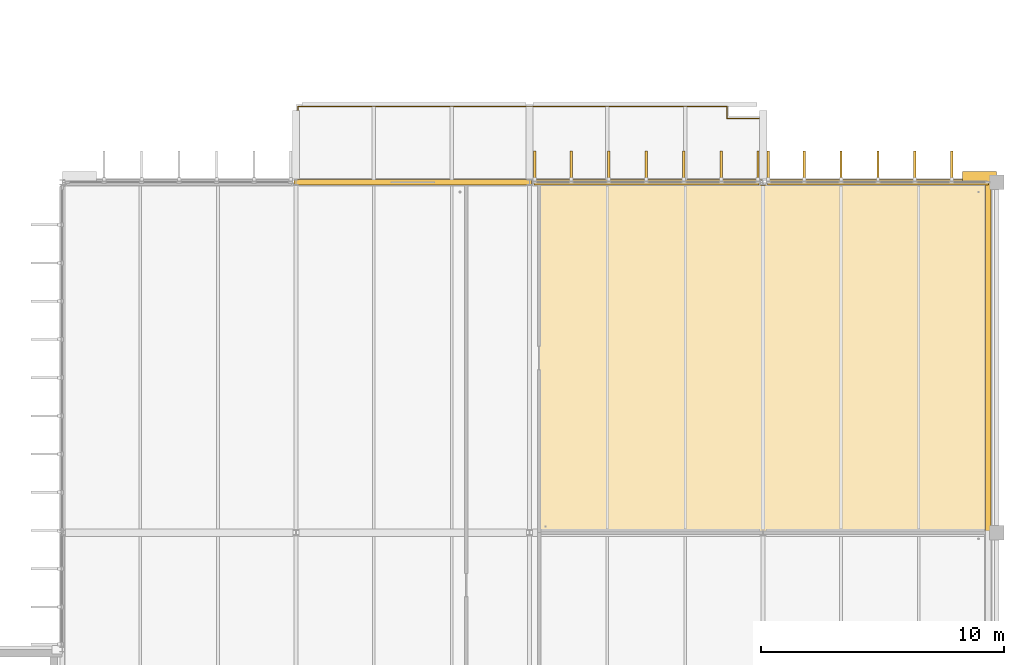
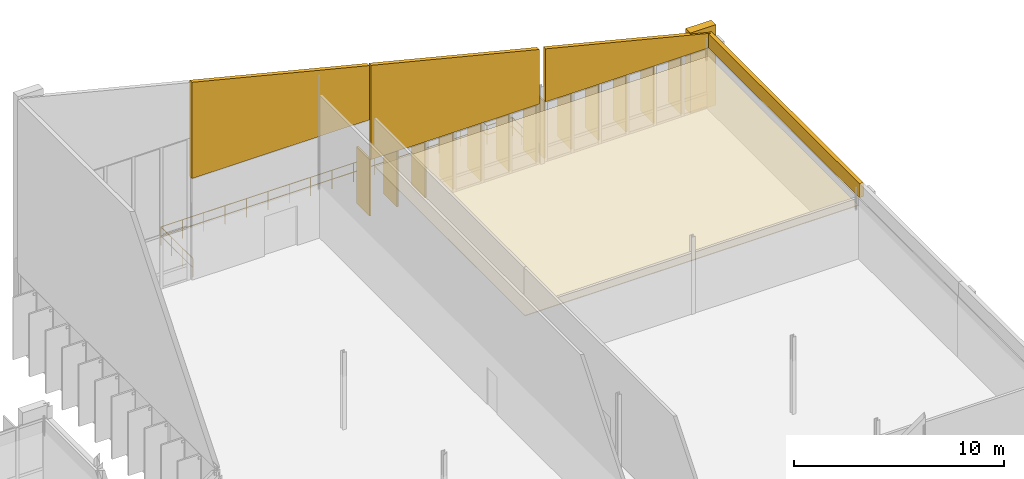
# One storey, part 110 of 110: 19 coverings, 1 railing.
"""IFC4 building model written with IfcOpenShell, lengths in metres."""

from ifc_helpers import new_model, si_unit, direction, frame, origin, origin_2d, place, context, subcontext, project, spatial, polyline, rectangle, circle, outline, extrude, material, layer, layer_set, type_object, element, save


model = new_model("IFC4")

# Units and contexts
model_context = context("Model", 3, precision=1e-05, world=origin(), true_north=direction((0.0, 1.0)))
body_context = subcontext(model_context, "Body", "Model", "MODEL_VIEW")
ifc_project = project(units=[si_unit("LENGTHUNIT", "METRE"), si_unit("AREAUNIT", "SQUARE_METRE"), si_unit("VOLUMEUNIT", "CUBIC_METRE"), si_unit("PLANEANGLEUNIT", "RADIAN"), si_unit("MASSUNIT", "GRAM", prefix="KILO")], contexts=[model_context])

# Site, building, storey
site_placement = place(None, origin())
site = spatial("IfcSite", under=ifc_project, at=site_placement, CompositionType="ELEMENT")
building_placement = place(site_placement, origin())
building = spatial("IfcBuilding", under=site, at=building_placement, Name="Dunescarp Central Library", CompositionType="ELEMENT")
storey_placement = place(building_placement, frame((0.0, 0.0, 9.60009765625)))
storey = spatial("IfcBuildingStorey", under=building, at=storey_placement, Name="L02", CompositionType="ELEMENT", Elevation=9.60009765625)

# Coverings
ifc_material_1 = material(Name="Mineral-fibre acoustic ceiling tile")
ifc_layer_1 = layer(ifc_material_1, 0.0400390625)
ifc_layer_set_1 = layer_set([ifc_layer_1], Name="Mineral-fibre acoustic ceiling tile")
covering_type_1 = type_object("IfcCoveringType", Name="ARC-COV-CEIL40", PredefinedType="CEILING", material=ifc_layer_set_1)
covering_1_placement = place(storey_placement, frame((0.0, 0.0, 3.0498046875)))
element("IfcCovering", 1, at=covering_1_placement, inside=storey, type_object=covering_type_1, Name="L02 ceiling Coastal Ecology Map Collection", PredefinedType="CEILING", context=body_context, shape_type="SweptSolid", body=[
    extrude(outline(polyline([(149.179931640625, 30.3798828125), (167.530029296875, 30.3798828125), (167.530029296875, 44.679931640625), (149.179931640625, 44.679931640625), (149.179931640625, 30.3798828125)])), origin(), (0.0, 0.0, 1.0), 0.0400390625),
])
ifc_material_2 = material(Name="Glass-fibre reinforced concrete GRC", Category="concrete")
ifc_layer_2 = layer(ifc_material_2, 0.219970703125)
ifc_layer_set_2 = layer_set([ifc_layer_2], Name="Glass-fibre reinforced concrete GRC")
covering_type_2 = type_object("IfcCoveringType", Name="ARC-COV-CLER", PredefinedType="CLADDING", material=ifc_layer_set_2)
covering_2_placement = place(storey_placement, frame((139.114990234375, 44.800048828125, 5.89697265625), z_axis=(0.0, 0.0, 1.0), x_axis=(1.0, 0.0, 0.0)))
element("IfcCovering", 2, at=covering_2_placement, inside=storey, type_object=covering_type_2, Name="L02 V5 raked clerestory closure CLR-V5-L02-087", PredefinedType="CLADDING", context=body_context, shape_type="SweptSolid", body=[
    extrude(outline(polyline([(0.0, 0.0), (9.77001953125, 0.0), (9.77001953125, 3.157958984375), (0.0, 5.600830078125), (0.0, 0.0)])), frame((0.0, 0.10986328125, 0.0), z_axis=(0.0, -1.0, 0.0), x_axis=(1.0, 0.0, 0.0)), (0.0, 0.0, 1.0), 0.219970703125),
])
covering_3_placement = place(storey_placement, frame((148.97509765625, 44.800048828125, 3.546875), z_axis=(0.0, 0.0, 1.0), x_axis=(1.0, 0.0, 0.0)))
element("IfcCovering", 3, at=covering_3_placement, inside=storey, type_object=covering_type_2, Name="L02 V5 raked clerestory closure CLR-V5-L02-088", PredefinedType="CLADDING", context=body_context, shape_type="SweptSolid", body=[
    extrude(outline(polyline([(0.0, 0.0), (9.25, 0.0), (9.25, 3.173095703125), (0.0, 5.486083984375), (0.0, 0.0)])), frame((0.0, 0.10986328125, 0.0), z_axis=(0.0, -1.0, 0.0), x_axis=(1.0, 0.0, 0.0)), (0.0, 0.0, 1.0), 0.219970703125),
])
covering_4_placement = place(storey_placement, frame((158.574951171875, 44.800048828125, 3.546875), z_axis=(0.0, 0.0, 1.0), x_axis=(1.0, 0.0, 0.0)))
element("IfcCovering", 4, at=covering_4_placement, inside=storey, type_object=covering_type_2, Name="L02 V5 raked clerestory closure CLR-V5-L02-089", PredefinedType="CLADDING", context=body_context, shape_type="SweptSolid", body=[
    extrude(outline(polyline([(0.0, 0.0), (9.090087890625, 0.0), (9.090087890625, 0.81298828125), (0.0, 3.0859375), (0.0, 0.0)])), frame((0.0, 0.10986328125, 0.0), z_axis=(0.0, -1.0, 0.0), x_axis=(1.0, 0.0, 0.0)), (0.0, 0.0, 1.0), 0.219970703125),
])
covering_5_placement = place(storey_placement, frame((167.64990234375, 44.885009765625, 3.546875), z_axis=(0.0, 0.0, 1.0), x_axis=(0.0, -1.0, 0.0)))
element("IfcCovering", 5, at=covering_5_placement, inside=storey, type_object=covering_type_2, Name="L02 V5 raked clerestory closure CLR-V5-L02-093", PredefinedType="CLADDING", context=body_context, shape_type="SweptSolid", body=[
    extrude(outline(polyline([(0.0, 0.0), (14.570068359375, 0.0), (14.570068359375, 0.817138671875), (0.0, 0.817138671875), (0.0, 0.0)])), frame((0.0, 0.10986328125, 0.0), z_axis=(0.0, -1.0, 0.0), x_axis=(1.0, 0.0, 0.0)), (0.0, 0.0, 1.0), 0.219970703125),
])
ifc_layer_3 = layer(ifc_material_2, 0.090087890625)
ifc_layer_set_3 = layer_set([ifc_layer_3], Name="Glass-fibre reinforced concrete GRC")
covering_type_3 = type_object("IfcCoveringType", Name="ARC-COV-FIN1250", PredefinedType="CLADDING", material=ifc_layer_set_3)
covering_6_placement = place(storey_placement, frame((149.014892578125, 45.4619140625, 0.16650390625), z_axis=(0.0, 0.0, 1.0), x_axis=(0.0, 1.0, 0.0)))
element("IfcCovering", 6, at=covering_6_placement, inside=storey, type_object=covering_type_3, Name="L02 parametric vertical facade fin FIN-L02-1062", PredefinedType="CLADDING", context=body_context, shape_type="SweptSolid", body=[
    extrude(rectangle(XDim=1.25, YDim=0.090087890625, at=origin_2d()), origin(), (0.0, 0.0, 1.0), 3.302978515625),
])
covering_7_placement = place(storey_placement, frame((150.51708984375, 45.4619140625, 0.179931640625), z_axis=(0.0, 0.0, 1.0), x_axis=(0.0, 1.0, 0.0)))
element("IfcCovering", 7, at=covering_7_placement, inside=storey, type_object=covering_type_3, Name="L02 parametric vertical facade fin FIN-L02-1063", PredefinedType="CLADDING", context=body_context, shape_type="SweptSolid", body=[
    extrude(rectangle(XDim=1.25, YDim=0.090087890625, at=origin_2d()), origin(), (0.0, 0.0, 1.0), 3.2900390625),
])
covering_8_placement = place(storey_placement, frame((152.05810546875, 45.4619140625, 0.1640625), z_axis=(0.0, 0.0, 1.0), x_axis=(0.0, 1.0, 0.0)))
element("IfcCovering", 8, at=covering_8_placement, inside=storey, type_object=covering_type_3, Name="L02 parametric vertical facade fin FIN-L02-1064", PredefinedType="CLADDING", context=body_context, shape_type="SweptSolid", body=[
    extrude(rectangle(XDim=1.25, YDim=0.090087890625, at=origin_2d()), origin(), (0.0, 0.0, 1.0), 3.305908203125),
])
covering_9_placement = place(storey_placement, frame((153.60009765625, 45.4619140625, 0.12255859375), z_axis=(0.0, 0.0, 1.0), x_axis=(0.0, 1.0, 0.0)))
element("IfcCovering", 9, at=covering_9_placement, inside=storey, type_object=covering_type_3, Name="L02 parametric vertical facade fin FIN-L02-1065", PredefinedType="CLADDING", context=body_context, shape_type="SweptSolid", body=[
    extrude(rectangle(XDim=1.25, YDim=0.090087890625, at=origin_2d()), origin(), (0.0, 0.0, 1.0), 3.346923828125),
])
covering_10_placement = place(storey_placement, frame((155.14208984375, 45.4619140625, 0.079345703125), z_axis=(0.0, 0.0, 1.0), x_axis=(0.0, 1.0, 0.0)))
element("IfcCovering", 10, at=covering_10_placement, inside=storey, type_object=covering_type_3, Name="L02 parametric vertical facade fin FIN-L02-1066", PredefinedType="CLADDING", context=body_context, shape_type="SweptSolid", body=[
    extrude(rectangle(XDim=1.25, YDim=0.090087890625, at=origin_2d()), origin(), (0.0, 0.0, 1.0), 3.37890625),
])
covering_11_placement = place(storey_placement, frame((156.68310546875, 45.4619140625, 0.080322265625), z_axis=(0.0, 0.0, 1.0), x_axis=(0.0, 1.0, 0.0)))
element("IfcCovering", 11, at=covering_11_placement, inside=storey, type_object=covering_type_3, Name="L02 parametric vertical facade fin FIN-L02-1067", PredefinedType="CLADDING", context=body_context, shape_type="SweptSolid", body=[
    extrude(rectangle(XDim=1.25, YDim=0.090087890625, at=origin_2d()), origin(), (0.0, 0.0, 1.0), 3.3291015625),
])
covering_12_placement = place(storey_placement, frame((158.18505859375, 45.4619140625, 0.079833984375), z_axis=(0.0, 0.0, 1.0), x_axis=(0.0, 1.0, 0.0)))
element("IfcCovering", 12, at=covering_12_placement, inside=storey, type_object=covering_type_3, Name="L02 parametric vertical facade fin FIN-L02-1068", PredefinedType="CLADDING", context=body_context, shape_type="SweptSolid", body=[
    extrude(rectangle(XDim=1.25, YDim=0.090087890625, at=origin_2d()), origin(), (0.0, 0.0, 1.0), 3.2958984375),
])
covering_13_placement = place(storey_placement, frame((158.614990234375, 45.4619140625, 0.16650390625), z_axis=(0.0, 0.0, 1.0), x_axis=(0.0, 1.0, 0.0)))
element("IfcCovering", 13, at=covering_13_placement, inside=storey, type_object=covering_type_3, Name="L02 parametric vertical facade fin FIN-L02-1069", PredefinedType="CLADDING", context=body_context, shape_type="SweptSolid", body=[
    extrude(rectangle(XDim=1.25, YDim=0.090087890625, at=origin_2d()), origin(), (0.0, 0.0, 1.0), 3.302978515625),
])
covering_14_placement = place(storey_placement, frame((160.090087890625, 45.4619140625, 0.179931640625), z_axis=(0.0, 0.0, 1.0), x_axis=(0.0, 1.0, 0.0)))
element("IfcCovering", 14, at=covering_14_placement, inside=storey, type_object=covering_type_3, Name="L02 parametric vertical facade fin FIN-L02-1070", PredefinedType="CLADDING", context=body_context, shape_type="SweptSolid", body=[
    extrude(rectangle(XDim=1.25, YDim=0.090087890625, at=origin_2d()), origin(), (0.0, 0.0, 1.0), 3.2900390625),
])
covering_15_placement = place(storey_placement, frame((161.60498046875, 45.4619140625, 0.1640625), z_axis=(0.0, 0.0, 1.0), x_axis=(0.0, 1.0, 0.0)))
element("IfcCovering", 15, at=covering_15_placement, inside=storey, type_object=covering_type_3, Name="L02 parametric vertical facade fin FIN-L02-1071", PredefinedType="CLADDING", context=body_context, shape_type="SweptSolid", body=[
    extrude(rectangle(XDim=1.25, YDim=0.090087890625, at=origin_2d()), origin(), (0.0, 0.0, 1.0), 3.305908203125),
])
covering_16_placement = place(storey_placement, frame((163.1201171875, 45.4619140625, 0.12255859375), z_axis=(0.0, 0.0, 1.0), x_axis=(0.0, 1.0, 0.0)))
element("IfcCovering", 16, at=covering_16_placement, inside=storey, type_object=covering_type_3, Name="L02 parametric vertical facade fin FIN-L02-1072", PredefinedType="CLADDING", context=body_context, shape_type="SweptSolid", body=[
    extrude(rectangle(XDim=1.25, YDim=0.090087890625, at=origin_2d()), origin(), (0.0, 0.0, 1.0), 3.346923828125),
])
covering_17_placement = place(storey_placement, frame((164.635009765625, 45.4619140625, 0.079345703125), z_axis=(0.0, 0.0, 1.0), x_axis=(0.0, 1.0, 0.0)))
element("IfcCovering", 17, at=covering_17_placement, inside=storey, type_object=covering_type_3, Name="L02 parametric vertical facade fin FIN-L02-1073", PredefinedType="CLADDING", context=body_context, shape_type="SweptSolid", body=[
    extrude(rectangle(XDim=1.25, YDim=0.090087890625, at=origin_2d()), origin(), (0.0, 0.0, 1.0), 3.37890625),
])
covering_18_placement = place(storey_placement, frame((166.14990234375, 45.4619140625, 0.080322265625), z_axis=(0.0, 0.0, 1.0), x_axis=(0.0, 1.0, 0.0)))
element("IfcCovering", 18, at=covering_18_placement, inside=storey, type_object=covering_type_3, Name="L02 parametric vertical facade fin FIN-L02-1074", PredefinedType="CLADDING", context=body_context, shape_type="SweptSolid", body=[
    extrude(rectangle(XDim=1.25, YDim=0.090087890625, at=origin_2d()), origin(), (0.0, 0.0, 1.0), 3.3291015625),
])
ifc_layer_4 = layer(ifc_material_2, 0.449951171875)
ifc_layer_set_4 = layer_set([ifc_layer_4], Name="Glass-fibre reinforced concrete GRC")
covering_type_4 = type_object("IfcCoveringType", Name="ARC-COV-PORTAL", PredefinedType="CLADDING", material=ifc_layer_set_4)
covering_19_placement = place(storey_placement, frame((167.300048828125, 45.02001953125, 0.00048828125), z_axis=(0.0, 0.0, 1.0), x_axis=(1.0, 0.0, 0.0)))
element("IfcCovering", 19, at=covering_19_placement, inside=storey, type_object=covering_type_4, Name="V5 sculpted GRC portal pier PRT-BAND-V5-060", PredefinedType="CLADDING", context=body_context, shape_type="SweptSolid", body=[
    extrude(rectangle(XDim=1.39990234375, YDim=0.449951171875, at=origin_2d()), origin(), (0.0, 0.0, 1.0), 4.675048828125),
])

# Railing
ifc_material_3 = material(Name="Stainless steel Grade 316L", Category="steel")
railing_type = type_object("IfcRailingType", Name="ARC-RL-BAL", PredefinedType="BALUSTRADE", material=ifc_material_3)
railing_placement = place(storey_placement, frame((139.280029296875, 44.8798828125, 0.0)))
element("IfcRailing", 20, at=railing_placement, inside=storey, type_object=railing_type, Name="L02 terrace balustrade TER-L02-V5N", PredefinedType="BALUSTRADE", context=body_context, shape_type="SweptSolid", body=[
    extrude(circle(Radius=0.02392578125, at=origin_2d()), frame((0.0, 0.0, 1.076171875), z_axis=(0.0, 1.0, 0.0), x_axis=(-1.0, 0.0, 0.0)), (0.0, 0.0, 1.0), 3.0400390625),
    extrude(circle(Radius=0.02392578125, at=origin_2d()), frame((0.0, 0.0, 0.550048828125), z_axis=(0.0, 1.0, 0.0), x_axis=(-1.0, 0.0, 0.0)), (0.0, 0.0, 1.0), 3.0400390625),
    extrude(circle(Radius=0.02392578125, at=origin_2d()), frame((0.0, 3.0400390625, 1.076171875), z_axis=(1.0, 0.0, 0.0), x_axis=(0.0, 1.0, 0.0)), (0.0, 0.0, 1.0), 17.639892578125),
    extrude(circle(Radius=0.02392578125, at=origin_2d()), frame((0.0, 3.0400390625, 0.550048828125), z_axis=(1.0, 0.0, 0.0), x_axis=(0.0, 1.0, 0.0)), (0.0, 0.0, 1.0), 17.639892578125),
    extrude(circle(Radius=0.02392578125, at=origin_2d()), frame((17.639892578125, 3.0400390625, 1.076171875), z_axis=(0.0, -1.0, 0.0), x_axis=(1.0, 0.0, 0.0)), (0.0, 0.0, 1.0), 0.5),
    extrude(circle(Radius=0.02392578125, at=origin_2d()), frame((17.639892578125, 3.0400390625, 0.550048828125), z_axis=(0.0, -1.0, 0.0), x_axis=(1.0, 0.0, 0.0)), (0.0, 0.0, 1.0), 0.5),
    extrude(circle(Radius=0.02392578125, at=origin_2d()), frame((17.639892578125, 2.5400390625, 1.076171875), z_axis=(1.0, 0.0, 0.0), x_axis=(0.0, 1.0, 0.0)), (0.0, 0.0, 1.0), 1.400146484375),
    extrude(circle(Radius=0.02392578125, at=origin_2d()), frame((17.639892578125, 2.5400390625, 0.550048828125), z_axis=(1.0, 0.0, 0.0), x_axis=(0.0, 1.0, 0.0)), (0.0, 0.0, 1.0), 1.400146484375),
    extrude(circle(Radius=0.02392578125, at=origin_2d()), frame((19.0400390625, 2.5400390625, 1.076171875), z_axis=(0.0, -1.0, 0.0), x_axis=(1.0, 0.0, 0.0)), (0.0, 0.0, 1.0), 2.5400390625),
    extrude(circle(Radius=0.02392578125, at=origin_2d()), frame((19.0400390625, 2.5400390625, 0.550048828125), z_axis=(0.0, -1.0, 0.0), x_axis=(1.0, 0.0, 0.0)), (0.0, 0.0, 1.0), 2.5400390625),
    extrude(circle(Radius=0.02099609375, at=origin_2d()), origin(), (0.0, 0.0, 1.0), 1.052001953125),
    extrude(circle(Radius=0.02099609375, at=origin_2d()), frame((0.0, 1.013427734375, 0.0)), (0.0, 0.0, 1.0), 1.052001953125),
    extrude(circle(Radius=0.02099609375, at=origin_2d()), frame((0.0, 2.026611328125, 0.0)), (0.0, 0.0, 1.0), 1.052001953125),
    extrude(circle(Radius=0.02099609375, at=origin_2d()), frame((0.0, 3.0400390625, 0.0)), (0.0, 0.0, 1.0), 1.052001953125),
    extrude(circle(Radius=0.02099609375, at=origin_2d()), frame((1.176025390625, 3.0400390625, 0.0)), (0.0, 0.0, 1.0), 1.052001953125),
    extrude(circle(Radius=0.02099609375, at=origin_2d()), frame((2.35205078125, 3.0400390625, 0.0)), (0.0, 0.0, 1.0), 1.052001953125),
    extrude(circle(Radius=0.02099609375, at=origin_2d()), frame((3.528076171875, 3.0400390625, 0.0)), (0.0, 0.0, 1.0), 1.052001953125),
    extrude(circle(Radius=0.02099609375, at=origin_2d()), frame((4.703857421875, 3.0400390625, 0.0)), (0.0, 0.0, 1.0), 1.052001953125),
    extrude(circle(Radius=0.02099609375, at=origin_2d()), frame((5.8798828125, 3.0400390625, 0.0)), (0.0, 0.0, 1.0), 1.052001953125),
    extrude(circle(Radius=0.02099609375, at=origin_2d()), frame((7.055908203125, 3.0400390625, 0.0)), (0.0, 0.0, 1.0), 1.052001953125),
    extrude(circle(Radius=0.02099609375, at=origin_2d()), frame((8.23193359375, 3.0400390625, 0.0)), (0.0, 0.0, 1.0), 1.052001953125),
    extrude(circle(Radius=0.02099609375, at=origin_2d()), frame((9.407958984375, 3.0400390625, 0.0)), (0.0, 0.0, 1.0), 1.052001953125),
    extrude(circle(Radius=0.02099609375, at=origin_2d()), frame((10.583984375, 3.0400390625, 0.0)), (0.0, 0.0, 1.0), 1.052001953125),
    extrude(circle(Radius=0.02099609375, at=origin_2d()), frame((11.760009765625, 3.0400390625, 0.0)), (0.0, 0.0, 1.0), 1.052001953125),
    extrude(circle(Radius=0.02099609375, at=origin_2d()), frame((12.93603515625, 3.0400390625, 0.0)), (0.0, 0.0, 1.0), 1.052001953125),
    extrude(circle(Radius=0.02099609375, at=origin_2d()), frame((14.11181640625, 3.0400390625, 0.0)), (0.0, 0.0, 1.0), 1.052001953125),
    extrude(circle(Radius=0.02099609375, at=origin_2d()), frame((15.287841796875, 3.0400390625, 0.0)), (0.0, 0.0, 1.0), 1.052001953125),
    extrude(circle(Radius=0.02099609375, at=origin_2d()), frame((16.4638671875, 3.0400390625, 0.0)), (0.0, 0.0, 1.0), 1.052001953125),
    extrude(circle(Radius=0.02099609375, at=origin_2d()), frame((17.639892578125, 3.0400390625, 0.0)), (0.0, 0.0, 1.0), 1.052001953125),
    extrude(circle(Radius=0.02099609375, at=origin_2d()), frame((17.639892578125, 2.5400390625, 0.0)), (0.0, 0.0, 1.0), 1.052001953125),
    extrude(circle(Radius=0.02099609375, at=origin_2d()), frame((18.33984375, 2.5400390625, 0.0)), (0.0, 0.0, 1.0), 1.052001953125),
    extrude(circle(Radius=0.02099609375, at=origin_2d()), frame((19.0400390625, 2.5400390625, 0.0)), (0.0, 0.0, 1.0), 1.052001953125),
    extrude(circle(Radius=0.02099609375, at=origin_2d()), frame((19.0400390625, 1.693359375, 0.0)), (0.0, 0.0, 1.0), 1.052001953125),
    extrude(circle(Radius=0.02099609375, at=origin_2d()), frame((19.0400390625, 0.8466796875, 0.0)), (0.0, 0.0, 1.0), 1.052001953125),
    extrude(circle(Radius=0.02099609375, at=origin_2d()), frame((19.0400390625, 0.0, 0.0)), (0.0, 0.0, 1.0), 1.052001953125),
])

save(model, "model.ifc")
